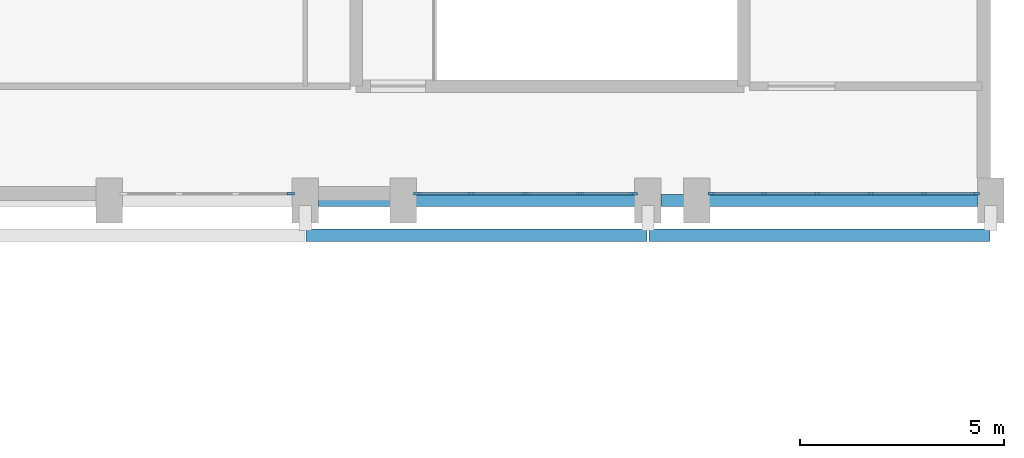
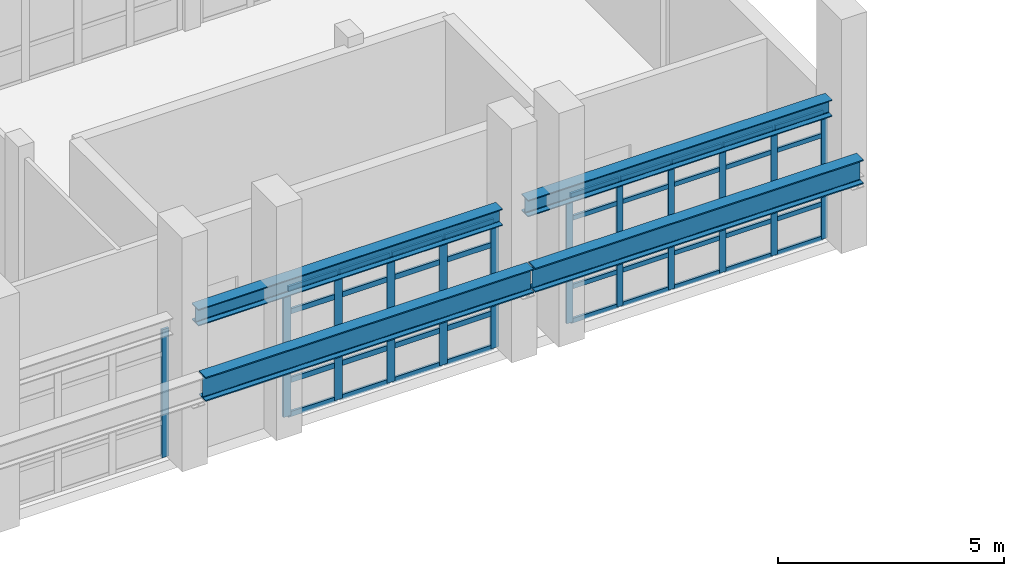
# One storey, part 90 of 147: 48 members, 4 beams, 3 elements without a shape of their own.
"""IFC4 building model written with IfcOpenShell, lengths in metres."""

import ifcopenshell
import ifcopenshell.guid

model = None  # the IFC model being written
_history = None  # IfcOwnerHistory: only IFC2X3 demands one
_inside = {}  # id of a spatial element -> (the spatial element, [elements in it])
_under = {}  # id of a project, library or spatial element -> (it, [spatial elements below it])
_declared = {}  # id of a project -> (the project, [libraries it declares])
_typed = {}  # id of a type object -> (the type object, [elements of that type])
_made_of = {}  # id of a material, layer set ... -> (it, [elements and type objects made of it])


def new_model(schema):
    """Start an empty IFC model of exactly this schema.

    Asked for "IFC4X3", IfcOpenShell would pick the latest addendum, in which some entities
    have other attributes; the version numbers below select the first issue.
    IFC2X3 requires an IfcOwnerHistory on every rooted entity: one is made here for all.
    """
    global model, _history
    if schema == "IFC4X3":
        model = ifcopenshell.file(schema_version=(4, 3, 0, 0))
    else:
        model = ifcopenshell.file(schema=schema)
    _inside.clear()
    _under.clear()
    _declared.clear()
    _typed.clear()
    _made_of.clear()
    _history = None
    if model.schema == "IFC2X3":
        org = make("IfcOrganization", Name="unknown")
        user = make(
            "IfcPersonAndOrganization",
            ThePerson=make("IfcPerson", FamilyName="unknown"),
            TheOrganization=org,
        )
        app = make(
            "IfcApplication",
            ApplicationDeveloper=org,
            Version="unknown",
            ApplicationFullName="unknown",
            ApplicationIdentifier="unknown",
        )
        _history = make(
            "IfcOwnerHistory",
            OwningUser=user,
            OwningApplication=app,
            ChangeAction="ADDED",
            CreationDate=0,
        )
    return model


def make(cls, **values):
    """One entity of the class cls with the attributes given. An attribute that is None is left unset."""
    return model.create_entity(
        cls, **{name: value for name, value in values.items() if value is not None}
    )


def rooted(cls, **values):
    """An entity with a GlobalId (a new one), such as an element, a storey or a relation."""
    return make(cls, GlobalId=ifcopenshell.guid.new(), OwnerHistory=_history, **values)


def si_unit(unit_type, name, prefix=None):
    """IfcSIUnit, for example si_unit("LENGTHUNIT", "METRE", prefix="MILLI")."""
    return make("IfcSIUnit", UnitType=unit_type, Prefix=prefix, Name=name)


def assignment(units):
    """IfcUnitAssignment: the units of a project."""
    return None if units is None else make("IfcUnitAssignment", Units=units)


def point(xyz):
    """IfcCartesianPoint."""
    return None if xyz is None else make("IfcCartesianPoint", Coordinates=xyz)


def direction(xyz):
    """IfcDirection."""
    return None if xyz is None else make("IfcDirection", DirectionRatios=xyz)


def frame(location, z_axis=None, x_axis=None):
    """IfcAxis2Placement3D, a coordinate frame: its origin and axes. An axis left out is left unset."""
    return make(
        "IfcAxis2Placement3D",
        Location=point(location),
        Axis=direction(z_axis),
        RefDirection=direction(x_axis),
    )


def frame_2d(location, x_axis=None):
    """IfcAxis2Placement2D, a coordinate frame in the plane: its origin and x axis."""
    return make(
        "IfcAxis2Placement2D", Location=point(location), RefDirection=direction(x_axis)
    )


def origin():
    """The frame at (0, 0, 0) with its axes left unset."""
    return frame((0.0, 0.0, 0.0))


def origin_2d():
    """The frame at (0, 0) in the plane with its x axis left unset."""
    return frame_2d((0.0, 0.0))


def place(relative_to, where):
    """IfcLocalPlacement: puts the frame where relative to a parent placement (None: the world)."""
    return make(
        "IfcLocalPlacement", PlacementRelTo=relative_to, RelativePlacement=where
    )


def context(
    kind, dimensions, precision=None, world=None, true_north=None, identifier=None
):
    """IfcGeometricRepresentationContext, for example the 3D "Model" context."""
    return make(
        "IfcGeometricRepresentationContext",
        ContextIdentifier=identifier,
        ContextType=kind,
        CoordinateSpaceDimension=dimensions,
        Precision=precision,
        WorldCoordinateSystem=world,
        TrueNorth=true_north,
    )


def subcontext(parent, identifier, kind, view, scale=None):
    """IfcGeometricRepresentationSubContext, for example "Body" below "Model"."""
    return make(
        "IfcGeometricRepresentationSubContext",
        ContextIdentifier=identifier,
        ContextType=kind,
        ParentContext=parent,
        TargetScale=scale,
        TargetView=view,
    )


def project(units=None, contexts=None):
    """IfcProject with its units and contexts."""
    return rooted(
        "IfcProject",
        Name="project",
        RepresentationContexts=contexts,
        UnitsInContext=assignment(units),
    )


def spatial(cls, under=None, at=None, **own):
    """A site, building, storey or space (cls), placed at a placement, below another one or the project."""
    s = rooted(cls, ObjectPlacement=at, **own)
    if under is not None:
        _under.setdefault(under.id(), (under, []))[1].append(s)
    return s


def profile(cls, at=None, kind="AREA", **sizes):
    """A parametric profile (cls). Its sizes go by their IFC names, for example OverallWidth=200.0."""
    return make(cls, ProfileType=kind, Position=at, **sizes)


def rectangle(**sizes):
    """IfcRectangleProfileDef."""
    return profile("IfcRectangleProfileDef", **sizes)


def i_section(**sizes):
    """IfcIShapeProfileDef."""
    return profile("IfcIShapeProfileDef", **sizes)


def extrude(swept, where, along, depth):
    """IfcExtrudedAreaSolid: the profile swept, set in the frame where, extruded along a direction by depth."""
    return make(
        "IfcExtrudedAreaSolid",
        SweptArea=swept,
        Position=where,
        ExtrudedDirection=direction(along),
        Depth=depth,
    )


def shape(context_of_items, identifier, shape_type, items):
    """IfcShapeRepresentation: the items that make up one representation, for example the "Body"."""
    return make(
        "IfcShapeRepresentation",
        ContextOfItems=context_of_items,
        RepresentationIdentifier=identifier,
        RepresentationType=shape_type,
        Items=items,
    )


def material(Name=None, Category=None):
    """IfcMaterial."""
    return make("IfcMaterial", Name=Name, Category=Category)


def material_profile(
    of_material, cross_section, Name=None, Category=None, Priority=None
):
    """IfcMaterialProfile: a cross section and its material."""
    return make(
        "IfcMaterialProfile",
        Name=Name,
        Material=of_material,
        Profile=cross_section,
        Priority=Priority,
        Category=Category,
    )


def profile_set(profiles, Name=None, composite=None):
    """IfcMaterialProfileSet."""
    return make(
        "IfcMaterialProfileSet",
        Name=Name,
        MaterialProfiles=profiles,
        CompositeProfile=composite,
    )


def made_of(thing, what):
    """Note that an element or type object is made of a material, layer set ...; save() writes the relation."""
    if what is not None:
        _made_of.setdefault(what.id(), (what, []))[1].append(thing)
    return thing


def type_object(cls, material=None, **own):
    """A type object (cls), such as IfcWallType, which elements share."""
    return made_of(rooted(cls, **own), material)


def element(
    cls,
    number,
    at=None,
    inside=None,
    cuts=None,
    type_object=None,
    material=None,
    context=None,
    identifier="Body",
    shape_type=None,
    held_by="IfcProductDefinitionShape",
    body=None,
    shapes=None,
    **own,
):
    """One element of the class cls, such as IfcWall. Its Tag is "e" and its number.

    at: its placement. inside: the storey or other place that contains it. cuts: it is an
    opening in that element (IfcRelVoidsElement). A single representation is given by context,
    identifier, shape_type and body (its items); several are given by shapes. held_by: the class
    of the entity that holds the representations. save() writes the other relations.
    """
    e = rooted(cls, Tag="e%d" % number, ObjectPlacement=at, **own)
    if body is not None:
        shapes = [shape(context, identifier, shape_type, body)]
    if shapes is not None:
        e.Representation = make(held_by, Representations=shapes)
    if inside is not None:
        _inside.setdefault(inside.id(), (inside, []))[1].append(e)
    if cuts is not None:
        rooted(
            "IfcRelVoidsElement", RelatingBuildingElement=cuts, RelatedOpeningElement=e
        )
    if type_object is not None:
        _typed.setdefault(type_object.id(), (type_object, []))[1].append(e)
    return made_of(e, material)


def aggregate(whole, parts):
    """IfcRelAggregates: a whole, such as a stair, and the parts it consists of."""
    return rooted("IfcRelAggregates", RelatingObject=whole, RelatedObjects=parts)


def save(model, path):
    """Write the relations noted so far, then the file.

    IfcRelAggregates (storeys below a building ...), IfcRelContainedInSpatialStructure (elements
    in a storey), IfcRelDefinesByType, IfcRelAssociatesMaterial and IfcRelDeclares: one each for
    every whole, place, type object, material and project.
    """
    for whole, parts in _under.values():
        aggregate(whole, parts)
    for where, things in _inside.values():
        rooted(
            "IfcRelContainedInSpatialStructure",
            RelatedElements=things,
            RelatingStructure=where,
        )
    for kind, things in _typed.values():
        rooted("IfcRelDefinesByType", RelatedObjects=things, RelatingType=kind)
    for what, things in _made_of.values():
        rooted("IfcRelAssociatesMaterial", RelatedObjects=things, RelatingMaterial=what)
    for by, libraries in _declared.values():
        rooted("IfcRelDeclares", RelatingContext=by, RelatedDefinitions=libraries)
    model.write(path)


model = new_model("IFC4")

# Units and contexts
model_context = context("Model", 3, precision=1e-05, world=origin(), true_north=direction((0.0, 1.0)))
body_context = subcontext(model_context, "Body", "Model", "MODEL_VIEW")
ifc_project = project(units=[si_unit("LENGTHUNIT", "METRE"), si_unit("AREAUNIT", "SQUARE_METRE"), si_unit("VOLUMEUNIT", "CUBIC_METRE"), si_unit("PLANEANGLEUNIT", "RADIAN"), si_unit("MASSUNIT", "GRAM", prefix="KILO")], contexts=[model_context])

# Site, building, storey
site_placement = place(None, origin())
site = spatial("IfcSite", under=ifc_project, at=site_placement, CompositionType="ELEMENT")
building_placement = place(site_placement, origin())
building = spatial("IfcBuilding", under=site, at=building_placement, Name="Malvenik Polytechnic", CompositionType="ELEMENT")
storey_placement = place(building_placement, frame((0.0, 0.0, 5.10009765625)))
storey = spatial("IfcBuildingStorey", under=building, at=storey_placement, Name="L01", CompositionType="ELEMENT", Elevation=5.10009765625)

# Curtain wall, members
ifc_material_1 = material(Name="Anodised aluminium 6060-T6", Category="aluminium")
curtain_wall_type_1 = type_object("IfcCurtainWallType", Name="ARC-CW-CW-05", PredefinedType="NOTDEFINED", material=ifc_material_1)
curtain_wall_1_placement = place(storey_placement, origin())
curtain_wall_1 = element("IfcCurtainWall", 1, at=curtain_wall_1_placement, inside=storey, type_object=curtain_wall_type_1, Name="Unitised Curtain Wall CW-05 L01 #71", PredefinedType="NOTDEFINED")
ifc_material_2 = material(Name="Anodised aluminium", Category="aluminium")
ifc_material_profile_1 = material_profile(ifc_material_2, rectangle(XDim=0.06005859375, YDim=0.159912109375, at=origin_2d()), Name="ALU MULLION 60x160")
ifc_profile_set_1 = profile_set([ifc_material_profile_1], Name="Anodised aluminium")
member_type_1 = type_object("IfcMemberType", Name="ARC-CWM-160", PredefinedType="MULLION", material=ifc_profile_set_1)
member_1_placement = place(storey_placement, frame((184.447021484375, 93.77001953125, 0.0), z_axis=(0.0, 0.0, 1.0), x_axis=(0.0, -1.0, 0.0)))
member_1 = element("IfcMember", 2, at=member_1_placement, type_object=member_type_1, Name="CW-05 mullion 1", PredefinedType="MULLION", context=body_context, shape_type="SweptSolid", body=[
    extrude(rectangle(XDim=0.06005859375, YDim=0.159912109375, at=origin_2d()), origin(), (0.0, 0.0, 1.0), 3.447998046875),
])
member_2_placement = place(storey_placement, frame((183.166259765625, 93.77001953125, 0.0), z_axis=(0.0, 0.0, 1.0), x_axis=(0.0, -1.0, 0.0)))
member_2 = element("IfcMember", 3, at=member_2_placement, type_object=member_type_1, Name="CW-05 mullion 2", PredefinedType="MULLION", context=body_context, shape_type="SweptSolid", body=[
    extrude(rectangle(XDim=0.06005859375, YDim=0.159912109375, at=origin_2d()), origin(), (0.0, 0.0, 1.0), 3.447998046875),
])
member_3_placement = place(storey_placement, frame((181.85546875, 93.77001953125, 0.0), z_axis=(0.0, 0.0, 1.0), x_axis=(0.0, -1.0, 0.0)))
member_3 = element("IfcMember", 4, at=member_3_placement, type_object=member_type_1, Name="CW-05 mullion 3", PredefinedType="MULLION", context=body_context, shape_type="SweptSolid", body=[
    extrude(rectangle(XDim=0.06005859375, YDim=0.159912109375, at=origin_2d()), origin(), (0.0, 0.0, 1.0), 3.447998046875),
])
member_4_placement = place(storey_placement, frame((180.544677734375, 93.77001953125, 0.0), z_axis=(0.0, 0.0, 1.0), x_axis=(0.0, -1.0, 0.0)))
member_4 = element("IfcMember", 5, at=member_4_placement, type_object=member_type_1, Name="CW-05 mullion 4", PredefinedType="MULLION", context=body_context, shape_type="SweptSolid", body=[
    extrude(rectangle(XDim=0.06005859375, YDim=0.159912109375, at=origin_2d()), origin(), (0.0, 0.0, 1.0), 3.447998046875),
])
member_5_placement = place(storey_placement, frame((179.23388671875, 93.77001953125, 0.0), z_axis=(0.0, 0.0, 1.0), x_axis=(0.0, -1.0, 0.0)))
member_5 = element("IfcMember", 6, at=member_5_placement, type_object=member_type_1, Name="CW-05 mullion 5", PredefinedType="MULLION", context=body_context, shape_type="SweptSolid", body=[
    extrude(rectangle(XDim=0.06005859375, YDim=0.159912109375, at=origin_2d()), origin(), (0.0, 0.0, 1.0), 3.447998046875),
])
member_6_placement = place(storey_placement, frame((177.952880859375, 93.77001953125, 0.0), z_axis=(0.0, 0.0, 1.0), x_axis=(0.0, -1.0, 0.0)))
member_6 = element("IfcMember", 7, at=member_6_placement, type_object=member_type_1, Name="CW-05 mullion 6", PredefinedType="MULLION", context=body_context, shape_type="SweptSolid", body=[
    extrude(rectangle(XDim=0.06005859375, YDim=0.159912109375, at=origin_2d()), origin(), (0.0, 0.0, 1.0), 3.447998046875),
])

# Curtain wall, member
curtain_wall_type_2 = type_object("IfcCurtainWallType", Name="ARC-CW-CW-11", PredefinedType="NOTDEFINED", material=ifc_material_1)
curtain_wall_2_placement = place(storey_placement, origin())
curtain_wall_2 = element("IfcCurtainWall", 8, at=curtain_wall_2_placement, inside=storey, type_object=curtain_wall_type_2, Name="Unitised Curtain Wall CW-11 L01 #73", PredefinedType="NOTDEFINED")
ifc_material_profile_2 = material_profile(ifc_material_2, rectangle(XDim=0.06005859375, YDim=0.179931640625, at=origin_2d()), Name="ALU MULLION 60x180")
ifc_profile_set_2 = profile_set([ifc_material_profile_2], Name="Anodised aluminium")
member_type_2 = type_object("IfcMemberType", Name="ARC-CWM-180", PredefinedType="MULLION", material=ifc_profile_set_2)
member_7_placement = place(storey_placement, frame((167.64697265625, 93.77001953125, 0.0), z_axis=(0.0, 0.0, 1.0), x_axis=(0.0, -1.0, 0.0)))
member_7 = element("IfcMember", 9, at=member_7_placement, type_object=member_type_2, Name="CW-11 mullion 1", PredefinedType="MULLION", context=body_context, shape_type="SweptSolid", body=[
    extrude(rectangle(XDim=0.06005859375, YDim=0.179931640625, at=origin_2d()), origin(), (0.0, 0.0, 1.0), 3.447998046875),
])
aggregate(curtain_wall_2, [member_7])

# Curtain wall, members
curtain_wall_type_3 = type_object("IfcCurtainWallType", Name="ARC-CW-CW-15", PredefinedType="NOTDEFINED", material=ifc_material_1)
curtain_wall_3_placement = place(storey_placement, origin())
curtain_wall_3 = element("IfcCurtainWall", 10, at=curtain_wall_3_placement, inside=storey, type_object=curtain_wall_type_3, Name="Unitised Curtain Wall CW-15 L01 #72", PredefinedType="NOTDEFINED")
ifc_material_profile_3 = material_profile(ifc_material_2, rectangle(XDim=0.06005859375, YDim=0.199951171875, at=origin_2d()), Name="ALU MULLION 60x200")
ifc_profile_set_3 = profile_set([ifc_material_profile_3], Name="Anodised aluminium")
member_type_3 = type_object("IfcMemberType", Name="ARC-CWM-200", PredefinedType="MULLION", material=ifc_profile_set_3)
member_8_placement = place(storey_placement, frame((176.047119140625, 93.77001953125, 0.0), z_axis=(0.0, 0.0, 1.0), x_axis=(0.0, -1.0, 0.0)))
member_8 = element("IfcMember", 11, at=member_8_placement, type_object=member_type_3, Name="CW-15 mullion 1", PredefinedType="MULLION", context=body_context, shape_type="SweptSolid", body=[
    extrude(rectangle(XDim=0.06005859375, YDim=0.199951171875, at=origin_2d()), origin(), (0.0, 0.0, 1.0), 3.447998046875),
])
member_9_placement = place(storey_placement, frame((174.738525390625, 93.77001953125, 0.0), z_axis=(0.0, 0.0, 1.0), x_axis=(0.0, -1.0, 0.0)))
member_9 = element("IfcMember", 12, at=member_9_placement, type_object=member_type_3, Name="CW-15 mullion 2", PredefinedType="MULLION", context=body_context, shape_type="SweptSolid", body=[
    extrude(rectangle(XDim=0.06005859375, YDim=0.199951171875, at=origin_2d()), origin(), (0.0, 0.0, 1.0), 3.447998046875),
])
member_10_placement = place(storey_placement, frame((173.39990234375, 93.77001953125, 0.0), z_axis=(0.0, 0.0, 1.0), x_axis=(0.0, -1.0, 0.0)))
member_10 = element("IfcMember", 13, at=member_10_placement, type_object=member_type_3, Name="CW-15 mullion 3", PredefinedType="MULLION", context=body_context, shape_type="SweptSolid", body=[
    extrude(rectangle(XDim=0.06005859375, YDim=0.199951171875, at=origin_2d()), origin(), (0.0, 0.0, 1.0), 3.447998046875),
])
member_11_placement = place(storey_placement, frame((172.0615234375, 93.77001953125, 0.0), z_axis=(0.0, 0.0, 1.0), x_axis=(0.0, -1.0, 0.0)))
member_11 = element("IfcMember", 14, at=member_11_placement, type_object=member_type_3, Name="CW-15 mullion 4", PredefinedType="MULLION", context=body_context, shape_type="SweptSolid", body=[
    extrude(rectangle(XDim=0.06005859375, YDim=0.199951171875, at=origin_2d()), origin(), (0.0, 0.0, 1.0), 3.447998046875),
])
member_12_placement = place(storey_placement, frame((170.7529296875, 93.77001953125, 0.0), z_axis=(0.0, 0.0, 1.0), x_axis=(0.0, -1.0, 0.0)))
member_12 = element("IfcMember", 15, at=member_12_placement, type_object=member_type_3, Name="CW-15 mullion 5", PredefinedType="MULLION", context=body_context, shape_type="SweptSolid", body=[
    extrude(rectangle(XDim=0.06005859375, YDim=0.199951171875, at=origin_2d()), origin(), (0.0, 0.0, 1.0), 3.447998046875),
])

# Member
ifc_material_profile_4 = material_profile(ifc_material_2, rectangle(XDim=0.06005859375, YDim=0.1201171875, at=origin_2d()), Name="ALU TRANSOM 60x120")
ifc_profile_set_4 = profile_set([ifc_material_profile_4], Name="Anodised aluminium")
member_type_4 = type_object("IfcMemberType", Name="ARC-CWT-120", PredefinedType="USERDEFINED", material=ifc_profile_set_4)
member_13_placement = place(storey_placement, frame((184.4169921875, 93.77001953125, 0.02978515625), z_axis=(-1.0, 0.0, 0.0), x_axis=(0.0, -1.0, 0.0)))
member_13 = element("IfcMember", 16, at=member_13_placement, type_object=member_type_4, Name="CW-05 transom 1.1", ObjectType="TRANSOM", PredefinedType="USERDEFINED", context=body_context, shape_type="SweptSolid", body=[
    extrude(rectangle(XDim=0.06005859375, YDim=0.1201171875, at=origin_2d()), origin(), (0.0, 0.0, 1.0), 1.220703125),
])

member_14_placement = place(storey_placement, frame((184.4169921875, 93.77001953125, 0.949951171875), z_axis=(-1.0, 0.0, 0.0), x_axis=(0.0, -1.0, 0.0)))
member_14 = element("IfcMember", 17, at=member_14_placement, type_object=member_type_4, Name="CW-05 transom 1.2", ObjectType="TRANSOM", PredefinedType="USERDEFINED", context=body_context, shape_type="SweptSolid", body=[
    extrude(rectangle(XDim=0.06005859375, YDim=0.1201171875, at=origin_2d()), origin(), (0.0, 0.0, 1.0), 1.220703125),
])

member_15_placement = place(storey_placement, frame((184.4169921875, 93.77001953125, 2.7978515625), z_axis=(-1.0, 0.0, 0.0), x_axis=(0.0, -1.0, 0.0)))
member_15 = element("IfcMember", 18, at=member_15_placement, type_object=member_type_4, Name="CW-05 transom 1.3", ObjectType="TRANSOM", PredefinedType="USERDEFINED", context=body_context, shape_type="SweptSolid", body=[
    extrude(rectangle(XDim=0.06005859375, YDim=0.1201171875, at=origin_2d()), origin(), (0.0, 0.0, 1.0), 1.220703125),
])

member_16_placement = place(storey_placement, frame((184.4169921875, 93.77001953125, 3.41796875), z_axis=(-1.0, 0.0, 0.0), x_axis=(0.0, -1.0, 0.0)))
member_16 = element("IfcMember", 19, at=member_16_placement, type_object=member_type_4, Name="CW-05 transom 1.4", ObjectType="TRANSOM", PredefinedType="USERDEFINED", context=body_context, shape_type="SweptSolid", body=[
    extrude(rectangle(XDim=0.06005859375, YDim=0.1201171875, at=origin_2d()), origin(), (0.0, 0.0, 1.0), 1.220703125),
])

member_17_placement = place(storey_placement, frame((183.13623046875, 93.77001953125, 0.02978515625), z_axis=(-1.0, 0.0, 0.0), x_axis=(0.0, -1.0, 0.0)))
member_17 = element("IfcMember", 20, at=member_17_placement, type_object=member_type_4, Name="CW-05 transom 2.1", ObjectType="TRANSOM", PredefinedType="USERDEFINED", context=body_context, shape_type="SweptSolid", body=[
    extrude(rectangle(XDim=0.06005859375, YDim=0.1201171875, at=origin_2d()), origin(), (0.0, 0.0, 1.0), 1.250732421875),
])

member_18_placement = place(storey_placement, frame((183.13623046875, 93.77001953125, 0.949951171875), z_axis=(-1.0, 0.0, 0.0), x_axis=(0.0, -1.0, 0.0)))
member_18 = element("IfcMember", 21, at=member_18_placement, type_object=member_type_4, Name="CW-05 transom 2.2", ObjectType="TRANSOM", PredefinedType="USERDEFINED", context=body_context, shape_type="SweptSolid", body=[
    extrude(rectangle(XDim=0.06005859375, YDim=0.1201171875, at=origin_2d()), origin(), (0.0, 0.0, 1.0), 1.250732421875),
])

member_19_placement = place(storey_placement, frame((183.13623046875, 93.77001953125, 2.7978515625), z_axis=(-1.0, 0.0, 0.0), x_axis=(0.0, -1.0, 0.0)))
member_19 = element("IfcMember", 22, at=member_19_placement, type_object=member_type_4, Name="CW-05 transom 2.3", ObjectType="TRANSOM", PredefinedType="USERDEFINED", context=body_context, shape_type="SweptSolid", body=[
    extrude(rectangle(XDim=0.06005859375, YDim=0.1201171875, at=origin_2d()), origin(), (0.0, 0.0, 1.0), 1.250732421875),
])

member_20_placement = place(storey_placement, frame((183.13623046875, 93.77001953125, 3.41796875), z_axis=(-1.0, 0.0, 0.0), x_axis=(0.0, -1.0, 0.0)))
member_20 = element("IfcMember", 23, at=member_20_placement, type_object=member_type_4, Name="CW-05 transom 2.4", ObjectType="TRANSOM", PredefinedType="USERDEFINED", context=body_context, shape_type="SweptSolid", body=[
    extrude(rectangle(XDim=0.06005859375, YDim=0.1201171875, at=origin_2d()), origin(), (0.0, 0.0, 1.0), 1.250732421875),
])

member_21_placement = place(storey_placement, frame((181.825439453125, 93.77001953125, 0.02978515625), z_axis=(-1.0, 0.0, 0.0), x_axis=(0.0, -1.0, 0.0)))
member_21 = element("IfcMember", 24, at=member_21_placement, type_object=member_type_4, Name="CW-05 transom 3.1", ObjectType="TRANSOM", PredefinedType="USERDEFINED", context=body_context, shape_type="SweptSolid", body=[
    extrude(rectangle(XDim=0.06005859375, YDim=0.1201171875, at=origin_2d()), origin(), (0.0, 0.0, 1.0), 1.250732421875),
])

member_22_placement = place(storey_placement, frame((181.825439453125, 93.77001953125, 0.949951171875), z_axis=(-1.0, 0.0, 0.0), x_axis=(0.0, -1.0, 0.0)))
member_22 = element("IfcMember", 25, at=member_22_placement, type_object=member_type_4, Name="CW-05 transom 3.2", ObjectType="TRANSOM", PredefinedType="USERDEFINED", context=body_context, shape_type="SweptSolid", body=[
    extrude(rectangle(XDim=0.06005859375, YDim=0.1201171875, at=origin_2d()), origin(), (0.0, 0.0, 1.0), 1.250732421875),
])

member_23_placement = place(storey_placement, frame((181.825439453125, 93.77001953125, 2.7978515625), z_axis=(-1.0, 0.0, 0.0), x_axis=(0.0, -1.0, 0.0)))
member_23 = element("IfcMember", 26, at=member_23_placement, type_object=member_type_4, Name="CW-05 transom 3.3", ObjectType="TRANSOM", PredefinedType="USERDEFINED", context=body_context, shape_type="SweptSolid", body=[
    extrude(rectangle(XDim=0.06005859375, YDim=0.1201171875, at=origin_2d()), origin(), (0.0, 0.0, 1.0), 1.250732421875),
])

member_24_placement = place(storey_placement, frame((181.825439453125, 93.77001953125, 3.41796875), z_axis=(-1.0, 0.0, 0.0), x_axis=(0.0, -1.0, 0.0)))
member_24 = element("IfcMember", 27, at=member_24_placement, type_object=member_type_4, Name="CW-05 transom 3.4", ObjectType="TRANSOM", PredefinedType="USERDEFINED", context=body_context, shape_type="SweptSolid", body=[
    extrude(rectangle(XDim=0.06005859375, YDim=0.1201171875, at=origin_2d()), origin(), (0.0, 0.0, 1.0), 1.250732421875),
])

member_25_placement = place(storey_placement, frame((180.5146484375, 93.77001953125, 0.02978515625), z_axis=(-1.0, 0.0, 0.0), x_axis=(0.0, -1.0, 0.0)))
member_25 = element("IfcMember", 28, at=member_25_placement, type_object=member_type_4, Name="CW-05 transom 4.1", ObjectType="TRANSOM", PredefinedType="USERDEFINED", context=body_context, shape_type="SweptSolid", body=[
    extrude(rectangle(XDim=0.06005859375, YDim=0.1201171875, at=origin_2d()), origin(), (0.0, 0.0, 1.0), 1.250732421875),
])

member_26_placement = place(storey_placement, frame((180.5146484375, 93.77001953125, 0.949951171875), z_axis=(-1.0, 0.0, 0.0), x_axis=(0.0, -1.0, 0.0)))
member_26 = element("IfcMember", 29, at=member_26_placement, type_object=member_type_4, Name="CW-05 transom 4.2", ObjectType="TRANSOM", PredefinedType="USERDEFINED", context=body_context, shape_type="SweptSolid", body=[
    extrude(rectangle(XDim=0.06005859375, YDim=0.1201171875, at=origin_2d()), origin(), (0.0, 0.0, 1.0), 1.250732421875),
])

member_27_placement = place(storey_placement, frame((180.5146484375, 93.77001953125, 2.7978515625), z_axis=(-1.0, 0.0, 0.0), x_axis=(0.0, -1.0, 0.0)))
member_27 = element("IfcMember", 30, at=member_27_placement, type_object=member_type_4, Name="CW-05 transom 4.3", ObjectType="TRANSOM", PredefinedType="USERDEFINED", context=body_context, shape_type="SweptSolid", body=[
    extrude(rectangle(XDim=0.06005859375, YDim=0.1201171875, at=origin_2d()), origin(), (0.0, 0.0, 1.0), 1.250732421875),
])

member_28_placement = place(storey_placement, frame((180.5146484375, 93.77001953125, 3.41796875), z_axis=(-1.0, 0.0, 0.0), x_axis=(0.0, -1.0, 0.0)))
member_28 = element("IfcMember", 31, at=member_28_placement, type_object=member_type_4, Name="CW-05 transom 4.4", ObjectType="TRANSOM", PredefinedType="USERDEFINED", context=body_context, shape_type="SweptSolid", body=[
    extrude(rectangle(XDim=0.06005859375, YDim=0.1201171875, at=origin_2d()), origin(), (0.0, 0.0, 1.0), 1.250732421875),
])

member_29_placement = place(storey_placement, frame((179.203857421875, 93.77001953125, 0.02978515625), z_axis=(-1.0, 0.0, 0.0), x_axis=(0.0, -1.0, 0.0)))
member_29 = element("IfcMember", 32, at=member_29_placement, type_object=member_type_4, Name="CW-05 transom 5.1", ObjectType="TRANSOM", PredefinedType="USERDEFINED", context=body_context, shape_type="SweptSolid", body=[
    extrude(rectangle(XDim=0.06005859375, YDim=0.1201171875, at=origin_2d()), origin(), (0.0, 0.0, 1.0), 1.220947265625),
])

member_30_placement = place(storey_placement, frame((179.203857421875, 93.77001953125, 0.949951171875), z_axis=(-1.0, 0.0, 0.0), x_axis=(0.0, -1.0, 0.0)))
member_30 = element("IfcMember", 33, at=member_30_placement, type_object=member_type_4, Name="CW-05 transom 5.2", ObjectType="TRANSOM", PredefinedType="USERDEFINED", context=body_context, shape_type="SweptSolid", body=[
    extrude(rectangle(XDim=0.06005859375, YDim=0.1201171875, at=origin_2d()), origin(), (0.0, 0.0, 1.0), 1.220947265625),
])

member_31_placement = place(storey_placement, frame((179.203857421875, 93.77001953125, 2.7978515625), z_axis=(-1.0, 0.0, 0.0), x_axis=(0.0, -1.0, 0.0)))
member_31 = element("IfcMember", 34, at=member_31_placement, type_object=member_type_4, Name="CW-05 transom 5.3", ObjectType="TRANSOM", PredefinedType="USERDEFINED", context=body_context, shape_type="SweptSolid", body=[
    extrude(rectangle(XDim=0.06005859375, YDim=0.1201171875, at=origin_2d()), origin(), (0.0, 0.0, 1.0), 1.220947265625),
])

member_32_placement = place(storey_placement, frame((179.203857421875, 93.77001953125, 3.41796875), z_axis=(-1.0, 0.0, 0.0), x_axis=(0.0, -1.0, 0.0)))
member_32 = element("IfcMember", 35, at=member_32_placement, type_object=member_type_4, Name="CW-05 transom 5.4", ObjectType="TRANSOM", PredefinedType="USERDEFINED", context=body_context, shape_type="SweptSolid", body=[
    extrude(rectangle(XDim=0.06005859375, YDim=0.1201171875, at=origin_2d()), origin(), (0.0, 0.0, 1.0), 1.220947265625),
])

aggregate(curtain_wall_1, [member_1, member_2, member_3, member_4, member_5, member_6, member_13, member_14, member_15, member_16, member_17, member_18, member_19, member_20, member_21, member_22, member_23, member_24, member_25, member_26, member_27, member_28, member_29, member_30, member_31, member_32])

ifc_material_profile_5 = material_profile(ifc_material_2, rectangle(XDim=0.06005859375, YDim=0.139892578125, at=origin_2d()), Name="ALU TRANSOM 60x140")
ifc_profile_set_5 = profile_set([ifc_material_profile_5], Name="Anodised aluminium")
member_type_5 = type_object("IfcMemberType", Name="ARC-CWT-140", PredefinedType="USERDEFINED", material=ifc_profile_set_5)
member_33_placement = place(storey_placement, frame((176.01708984375, 93.77001953125, 0.02978515625), z_axis=(-1.0, 0.0, 0.0), x_axis=(0.0, -1.0, 0.0)))
member_33 = element("IfcMember", 36, at=member_33_placement, type_object=member_type_5, Name="CW-15 transom 1.1", ObjectType="TRANSOM", PredefinedType="USERDEFINED", context=body_context, shape_type="SweptSolid", body=[
    extrude(rectangle(XDim=0.06005859375, YDim=0.139892578125, at=origin_2d()), origin(), (0.0, 0.0, 1.0), 1.24853515625),
])

member_34_placement = place(storey_placement, frame((176.01708984375, 93.77001953125, 0.949951171875), z_axis=(-1.0, 0.0, 0.0), x_axis=(0.0, -1.0, 0.0)))
member_34 = element("IfcMember", 37, at=member_34_placement, type_object=member_type_5, Name="CW-15 transom 1.2", ObjectType="TRANSOM", PredefinedType="USERDEFINED", context=body_context, shape_type="SweptSolid", body=[
    extrude(rectangle(XDim=0.06005859375, YDim=0.139892578125, at=origin_2d()), origin(), (0.0, 0.0, 1.0), 1.24853515625),
])

member_35_placement = place(storey_placement, frame((176.01708984375, 93.77001953125, 2.7978515625), z_axis=(-1.0, 0.0, 0.0), x_axis=(0.0, -1.0, 0.0)))
member_35 = element("IfcMember", 38, at=member_35_placement, type_object=member_type_5, Name="CW-15 transom 1.3", ObjectType="TRANSOM", PredefinedType="USERDEFINED", context=body_context, shape_type="SweptSolid", body=[
    extrude(rectangle(XDim=0.06005859375, YDim=0.139892578125, at=origin_2d()), origin(), (0.0, 0.0, 1.0), 1.24853515625),
])

member_36_placement = place(storey_placement, frame((176.01708984375, 93.77001953125, 3.41796875), z_axis=(-1.0, 0.0, 0.0), x_axis=(0.0, -1.0, 0.0)))
member_36 = element("IfcMember", 39, at=member_36_placement, type_object=member_type_5, Name="CW-15 transom 1.4", ObjectType="TRANSOM", PredefinedType="USERDEFINED", context=body_context, shape_type="SweptSolid", body=[
    extrude(rectangle(XDim=0.06005859375, YDim=0.139892578125, at=origin_2d()), origin(), (0.0, 0.0, 1.0), 1.24853515625),
])

member_37_placement = place(storey_placement, frame((174.70849609375, 93.77001953125, 0.02978515625), z_axis=(-1.0, 0.0, 0.0), x_axis=(0.0, -1.0, 0.0)))
member_37 = element("IfcMember", 40, at=member_37_placement, type_object=member_type_5, Name="CW-15 transom 2.1", ObjectType="TRANSOM", PredefinedType="USERDEFINED", context=body_context, shape_type="SweptSolid", body=[
    extrude(rectangle(XDim=0.06005859375, YDim=0.139892578125, at=origin_2d()), origin(), (0.0, 0.0, 1.0), 1.278564453125),
])

member_38_placement = place(storey_placement, frame((174.70849609375, 93.77001953125, 0.949951171875), z_axis=(-1.0, 0.0, 0.0), x_axis=(0.0, -1.0, 0.0)))
member_38 = element("IfcMember", 41, at=member_38_placement, type_object=member_type_5, Name="CW-15 transom 2.2", ObjectType="TRANSOM", PredefinedType="USERDEFINED", context=body_context, shape_type="SweptSolid", body=[
    extrude(rectangle(XDim=0.06005859375, YDim=0.139892578125, at=origin_2d()), origin(), (0.0, 0.0, 1.0), 1.278564453125),
])

member_39_placement = place(storey_placement, frame((174.70849609375, 93.77001953125, 2.7978515625), z_axis=(-1.0, 0.0, 0.0), x_axis=(0.0, -1.0, 0.0)))
member_39 = element("IfcMember", 42, at=member_39_placement, type_object=member_type_5, Name="CW-15 transom 2.3", ObjectType="TRANSOM", PredefinedType="USERDEFINED", context=body_context, shape_type="SweptSolid", body=[
    extrude(rectangle(XDim=0.06005859375, YDim=0.139892578125, at=origin_2d()), origin(), (0.0, 0.0, 1.0), 1.278564453125),
])

member_40_placement = place(storey_placement, frame((174.70849609375, 93.77001953125, 3.41796875), z_axis=(-1.0, 0.0, 0.0), x_axis=(0.0, -1.0, 0.0)))
member_40 = element("IfcMember", 43, at=member_40_placement, type_object=member_type_5, Name="CW-15 transom 2.4", ObjectType="TRANSOM", PredefinedType="USERDEFINED", context=body_context, shape_type="SweptSolid", body=[
    extrude(rectangle(XDim=0.06005859375, YDim=0.139892578125, at=origin_2d()), origin(), (0.0, 0.0, 1.0), 1.278564453125),
])

member_41_placement = place(storey_placement, frame((173.3701171875, 93.77001953125, 0.02978515625), z_axis=(-1.0, 0.0, 0.0), x_axis=(0.0, -1.0, 0.0)))
member_41 = element("IfcMember", 44, at=member_41_placement, type_object=member_type_5, Name="CW-15 transom 3.1", ObjectType="TRANSOM", PredefinedType="USERDEFINED", context=body_context, shape_type="SweptSolid", body=[
    extrude(rectangle(XDim=0.06005859375, YDim=0.139892578125, at=origin_2d()), origin(), (0.0, 0.0, 1.0), 1.278564453125),
])

member_42_placement = place(storey_placement, frame((173.3701171875, 93.77001953125, 0.949951171875), z_axis=(-1.0, 0.0, 0.0), x_axis=(0.0, -1.0, 0.0)))
member_42 = element("IfcMember", 45, at=member_42_placement, type_object=member_type_5, Name="CW-15 transom 3.2", ObjectType="TRANSOM", PredefinedType="USERDEFINED", context=body_context, shape_type="SweptSolid", body=[
    extrude(rectangle(XDim=0.06005859375, YDim=0.139892578125, at=origin_2d()), origin(), (0.0, 0.0, 1.0), 1.278564453125),
])

member_43_placement = place(storey_placement, frame((173.3701171875, 93.77001953125, 2.7978515625), z_axis=(-1.0, 0.0, 0.0), x_axis=(0.0, -1.0, 0.0)))
member_43 = element("IfcMember", 46, at=member_43_placement, type_object=member_type_5, Name="CW-15 transom 3.3", ObjectType="TRANSOM", PredefinedType="USERDEFINED", context=body_context, shape_type="SweptSolid", body=[
    extrude(rectangle(XDim=0.06005859375, YDim=0.139892578125, at=origin_2d()), origin(), (0.0, 0.0, 1.0), 1.278564453125),
])

member_44_placement = place(storey_placement, frame((173.3701171875, 93.77001953125, 3.41796875), z_axis=(-1.0, 0.0, 0.0), x_axis=(0.0, -1.0, 0.0)))
member_44 = element("IfcMember", 47, at=member_44_placement, type_object=member_type_5, Name="CW-15 transom 3.4", ObjectType="TRANSOM", PredefinedType="USERDEFINED", context=body_context, shape_type="SweptSolid", body=[
    extrude(rectangle(XDim=0.06005859375, YDim=0.139892578125, at=origin_2d()), origin(), (0.0, 0.0, 1.0), 1.278564453125),
])

member_45_placement = place(storey_placement, frame((172.031494140625, 93.77001953125, 0.02978515625), z_axis=(-1.0, 0.0, 0.0), x_axis=(0.0, -1.0, 0.0)))
member_45 = element("IfcMember", 48, at=member_45_placement, type_object=member_type_5, Name="CW-15 transom 4.1", ObjectType="TRANSOM", PredefinedType="USERDEFINED", context=body_context, shape_type="SweptSolid", body=[
    extrude(rectangle(XDim=0.06005859375, YDim=0.139892578125, at=origin_2d()), origin(), (0.0, 0.0, 1.0), 1.24853515625),
])

member_46_placement = place(storey_placement, frame((172.031494140625, 93.77001953125, 0.949951171875), z_axis=(-1.0, 0.0, 0.0), x_axis=(0.0, -1.0, 0.0)))
member_46 = element("IfcMember", 49, at=member_46_placement, type_object=member_type_5, Name="CW-15 transom 4.2", ObjectType="TRANSOM", PredefinedType="USERDEFINED", context=body_context, shape_type="SweptSolid", body=[
    extrude(rectangle(XDim=0.06005859375, YDim=0.139892578125, at=origin_2d()), origin(), (0.0, 0.0, 1.0), 1.24853515625),
])

member_47_placement = place(storey_placement, frame((172.031494140625, 93.77001953125, 2.7978515625), z_axis=(-1.0, 0.0, 0.0), x_axis=(0.0, -1.0, 0.0)))
member_47 = element("IfcMember", 50, at=member_47_placement, type_object=member_type_5, Name="CW-15 transom 4.3", ObjectType="TRANSOM", PredefinedType="USERDEFINED", context=body_context, shape_type="SweptSolid", body=[
    extrude(rectangle(XDim=0.06005859375, YDim=0.139892578125, at=origin_2d()), origin(), (0.0, 0.0, 1.0), 1.24853515625),
])

member_48_placement = place(storey_placement, frame((172.031494140625, 93.77001953125, 3.41796875), z_axis=(-1.0, 0.0, 0.0), x_axis=(0.0, -1.0, 0.0)))
member_48 = element("IfcMember", 51, at=member_48_placement, type_object=member_type_5, Name="CW-15 transom 4.4", ObjectType="TRANSOM", PredefinedType="USERDEFINED", context=body_context, shape_type="SweptSolid", body=[
    extrude(rectangle(XDim=0.06005859375, YDim=0.139892578125, at=origin_2d()), origin(), (0.0, 0.0, 1.0), 1.24853515625),
])

aggregate(curtain_wall_3, [member_8, member_9, member_10, member_11, member_12, member_33, member_34, member_35, member_36, member_37, member_38, member_39, member_40, member_41, member_42, member_43, member_44, member_45, member_46, member_47, member_48])

# Beams
ifc_material_3 = material(Name="Steel S355", Category="steel")
ifc_material_profile_6 = material_profile(ifc_material_3, i_section(OverallWidth=0.300048828125, OverallDepth=0.64990234375, WebThickness=0.01611328125, FlangeThickness=0.031005859375, FilletRadius=0.027099609375, at=origin_2d()), Name="HEB 650")
ifc_profile_set_6 = profile_set([ifc_material_profile_6], Name="Steel S355")
beam_type_1 = type_object("IfcBeamType", Name="STR-BM-CB-01", PredefinedType="BEAM", material=ifc_profile_set_6)
beam_1_placement = place(storey_placement, frame((168.02001953125, 92.75, 2.375), z_axis=(1.0, 0.0, 0.0), x_axis=(0.0, 1.0, 0.0)))
element("IfcBeam", 52, at=beam_1_placement, inside=storey, type_object=beam_type_1, Name="100 kN Crane Runway Girder CB-01 #2.5", PredefinedType="BEAM", context=body_context, shape_type="SweptSolid", body=[
    extrude(i_section(OverallWidth=0.300048828125, OverallDepth=0.64990234375, WebThickness=0.01611328125, FlangeThickness=0.031005859375, FilletRadius=0.027099609375, at=origin_2d()), origin(), (0.0, 0.0, 1.0), 8.35986328125),
])
beam_2_placement = place(storey_placement, frame((176.419921875, 92.75, 2.375), z_axis=(1.0, 0.0, 0.0), x_axis=(0.0, 1.0, 0.0)))
element("IfcBeam", 53, at=beam_2_placement, inside=storey, type_object=beam_type_1, Name="100 kN Crane Runway Girder CB-01 #2.6", PredefinedType="BEAM", context=body_context, shape_type="SweptSolid", body=[
    extrude(i_section(OverallWidth=0.300048828125, OverallDepth=0.64990234375, WebThickness=0.01611328125, FlangeThickness=0.031005859375, FilletRadius=0.027099609375, at=origin_2d()), origin(), (0.0, 0.0, 1.0), 8.360107421875),
])
ifc_material_profile_7 = material_profile(ifc_material_3, i_section(OverallWidth=0.300048828125, OverallDepth=0.449951171875, WebThickness=0.013916015625, FlangeThickness=0.02587890625, FilletRadius=0.027099609375, at=origin_2d()), Name="HEB 450")
ifc_profile_set_7 = profile_set([ifc_material_profile_7], Name="Steel S355")
beam_type_2 = type_object("IfcBeamType", Name="STR-BM-SB-02", PredefinedType="BEAM", material=ifc_profile_set_7)
beam_3_placement = place(storey_placement, frame((168.322998046875, 93.60009765625, 3.682861328125), z_axis=(1.0, 0.0, 0.0), x_axis=(0.0, 1.0, 0.0)))
element("IfcBeam", 54, at=beam_3_placement, inside=storey, type_object=beam_type_2, Name="Beam SB-02 #5", PredefinedType="BEAM", context=body_context, shape_type="SweptSolid", body=[
    extrude(i_section(OverallWidth=0.300048828125, OverallDepth=0.449951171875, WebThickness=0.013916015625, FlangeThickness=0.02587890625, FilletRadius=0.027099609375, at=origin_2d()), origin(), (0.0, 0.0, 1.0), 7.75390625),
])
beam_4_placement = place(storey_placement, frame((176.722900390625, 93.60009765625, 3.682861328125), z_axis=(1.0, 0.0, 0.0), x_axis=(0.0, 1.0, 0.0)))
element("IfcBeam", 55, at=beam_4_placement, inside=storey, type_object=beam_type_2, Name="Beam SB-02 #6", PredefinedType="BEAM", context=body_context, shape_type="SweptSolid", body=[
    extrude(i_section(OverallWidth=0.300048828125, OverallDepth=0.449951171875, WebThickness=0.013916015625, FlangeThickness=0.02587890625, FilletRadius=0.027099609375, at=origin_2d()), origin(), (0.0, 0.0, 1.0), 7.754150390625),
])

save(model, "model.ifc")
